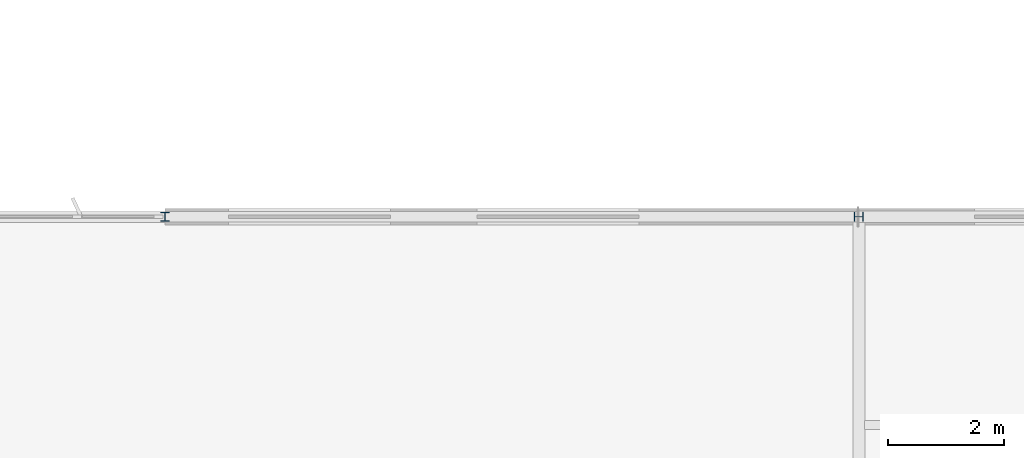
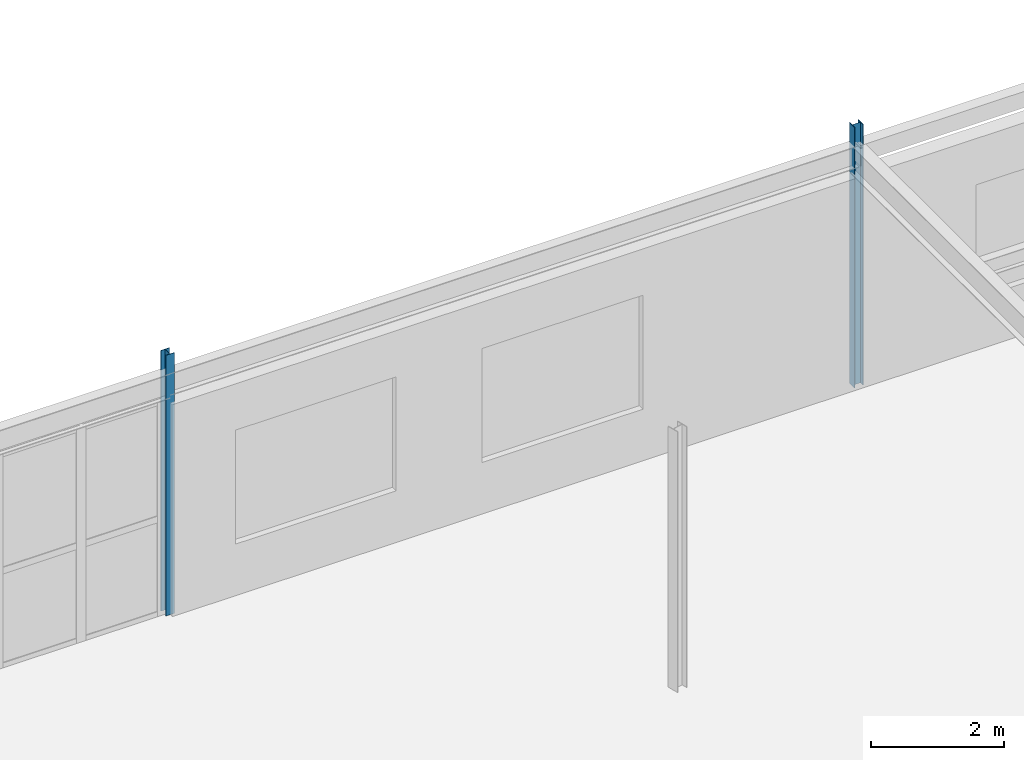
# One storey, part 62 of 199: 2 columns.
"""IFC4 building model written with IfcOpenShell, lengths in metres."""

from ifc_helpers import new_model, si_unit, direction, frame, origin, origin_2d, place, context, subcontext, project, spatial, i_section, extrude, material, material_profile, profile_set, type_object, element, save


model = new_model("IFC4")

# Units and contexts
model_context = context("Model", 3, precision=1e-05, world=origin(), true_north=direction((0.0, 1.0)))
body_context = subcontext(model_context, "Body", "Model", "MODEL_VIEW")
ifc_project = project(units=[si_unit("LENGTHUNIT", "METRE"), si_unit("AREAUNIT", "SQUARE_METRE"), si_unit("VOLUMEUNIT", "CUBIC_METRE"), si_unit("PLANEANGLEUNIT", "RADIAN"), si_unit("MASSUNIT", "GRAM", prefix="KILO")], contexts=[model_context])

# Site, building, storey
site_placement = place(None, origin())
site = spatial("IfcSite", under=ifc_project, at=site_placement, CompositionType="ELEMENT")
building_placement = place(site_placement, origin())
building = spatial("IfcBuilding", under=site, at=building_placement, Name="Tarnwether General Hospital", CompositionType="ELEMENT")
storey_placement = place(building_placement, origin())
storey = spatial("IfcBuildingStorey", under=building, at=storey_placement, Name="L00", CompositionType="ELEMENT", Elevation=0.0)

# Columns
ifc_material = material(Name="Steel Grade 350 (350 MPa)", Category="steel")
ifc_material_profile = material_profile(ifc_material, i_section(OverallWidth=0.153076171875, OverallDepth=0.157958984375, WebThickness=0.006591796875, FlangeThickness=0.009521484375, at=origin_2d()), Name="150UC30.0")
ifc_profile_set = profile_set([ifc_material_profile], Name="Steel Grade 350 (350 MPa)")
column_type = type_object("IfcColumnType", Name="COL-31", PredefinedType="COLUMN", material=ifc_profile_set)
for number, where, z_axis, x_axis, name in (
    (1, (72.0, 126.0, 0.0), (0.0, 0.0, 1.0), (1.0, 0.0, 0.0), "Column COLG-L00-7200_12600"),
    (2, (84.0, 126.0, 0.0), (0.0, 0.0, 1.0), (0.0, 1.0, 0.0), "Column COLG-L00-8400_12600"),
):
    element("IfcColumn", number, at=place(storey_placement, frame(where, z_axis=z_axis, x_axis=x_axis)), inside=storey, type_object=column_type, Name=name, PredefinedType="COLUMN", context=body_context, shape_type="SweptSolid", body=[
        extrude(i_section(OverallWidth=0.153076171875, OverallDepth=0.157958984375, WebThickness=0.006591796875, FlangeThickness=0.009521484375, at=origin_2d()), origin(), (0.0, 0.0, 1.0), 4.800048828125),
    ])

save(model, "model.ifc")
